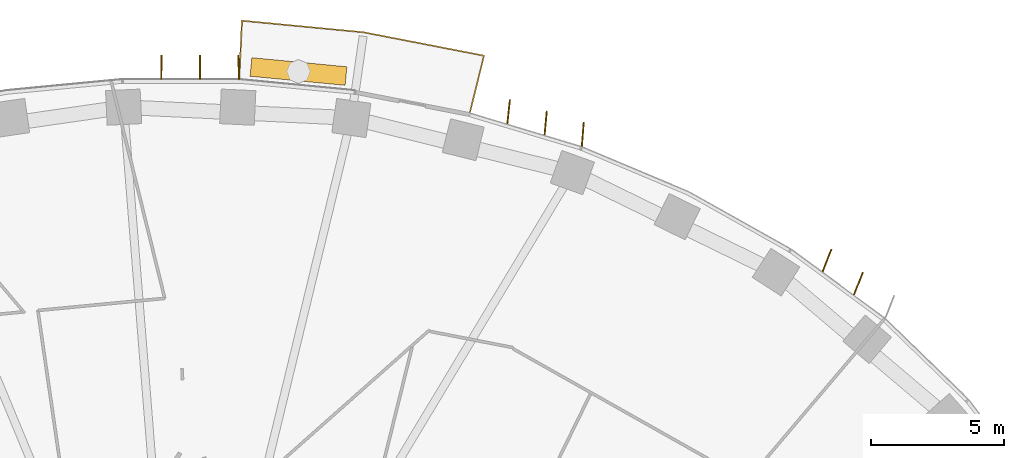
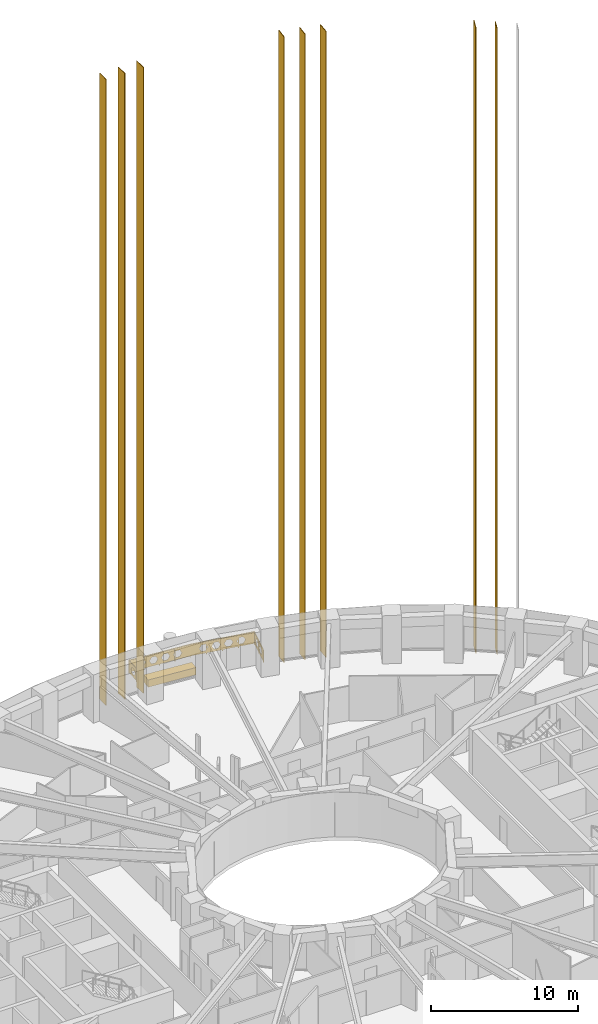
# One storey, part 18 of 20: 9 coverings, 1 railing.
"""IFC4 building model written with IfcOpenShell, lengths in metres."""

from ifc_helpers import new_model, si_unit, direction, frame, origin, origin_2d, place, context, subcontext, project, spatial, polyline, rectangle, outline, extrude, material, material_profile, profile_set, type_object, element, save


model = new_model("IFC4")

# Units and contexts
model_context = context("Model", 3, precision=1e-05, world=origin(), true_north=direction((0.0, 1.0)))
body_context = subcontext(model_context, "Body", "Model", "MODEL_VIEW")
ifc_project = project(units=[si_unit("LENGTHUNIT", "METRE"), si_unit("AREAUNIT", "SQUARE_METRE"), si_unit("VOLUMEUNIT", "CUBIC_METRE"), si_unit("PLANEANGLEUNIT", "RADIAN"), si_unit("MASSUNIT", "GRAM", prefix="KILO")], contexts=[model_context])

# Site, building, storey
site_placement = place(None, origin())
site = spatial("IfcSite", under=ifc_project, at=site_placement, CompositionType="ELEMENT")
building_placement = place(site_placement, origin())
building = spatial("IfcBuilding", under=site, at=building_placement, Name="Noorbagh Ring Tower", CompositionType="ELEMENT")
storey_placement = place(building_placement, frame((0.0, 0.0, 88.0)))
storey = spatial("IfcBuildingStorey", under=building, at=storey_placement, Name="L19", CompositionType="ELEMENT", Elevation=88.0)

# Coverings
ifc_material_1 = material(Name="Aluminium 6063-T6 black anodised", Category="aluminium")
ifc_material_profile = material_profile(ifc_material_1, rectangle(XDim=0.89990234375, YDim=0.050048828125, at=origin_2d()), Name="900x50")
ifc_profile_set = profile_set([ifc_material_profile], Name="Aluminium 6063-T6 black anodised")
covering_type_1 = type_object("IfcCoveringType", Name="ENV-FIN", PredefinedType="CLADDING", material=ifc_profile_set)
for number, where, z_axis, x_axis, name in (
    (1, (25.455078125, 20.2744140625, -0.284912109375), (0.0, 0.0, 1.0), (0.366046969104, 0.930596376745, 0.0), "Fin F06 2 L19-L31"),
    (2, (24.277587890625, 21.1416015625, -0.284912109375), (0.0, 0.0, 1.0), (0.364533046139, 0.931190452202, 0.0), "Fin F06 3 L19-L31"),
    (3, (15.102294921875, 25.884521484375, -0.284912109375), (0.0, 0.0, 1.0), (0.078357246483, 0.996925344208, 0.0), "Fin F09 1 L19-L31"),
    (4, (13.708740234375, 26.304931640625, -0.284912109375), (0.0, 0.0, 1.0), (0.092918421481, 0.995673725148, 0.0), "Fin F09 2 L19-L31"),
    (5, (12.31591796875, 26.72509765625, -0.284912109375), (0.0, 0.0, 1.0), (0.109101232004, 0.994030643982, 0.0), "Fin F09 3 L19-L31"),
    (6, (2.17724609375, 28.399169921875, -0.284912109375), (0.0, 0.0, 1.0), (-0.035640795498, 0.999364665023, 0.0), "Fin F12 1 L19-L31"),
    (7, (0.7255859375, 28.398681640625, -0.284912109375), (0.0, 0.0, 1.0), (-0.011915412219, 0.999929008956, 0.0), "Fin F12 2 L19-L31"),
    (8, (-0.7255859375, 28.398681640625, -0.284912109375), (0.0, 0.0, 1.0), (0.011915412219, 0.999929008956, 0.0), "Fin F12 3 L19-L31"),
):
    element("IfcCovering", number, at=place(storey_placement, frame(where, z_axis=z_axis, x_axis=x_axis)), inside=storey, type_object=covering_type_1, Name=name, ObjectType="FIN", PredefinedType="CLADDING", context=body_context, shape_type="SweptSolid", body=[
        extrude(rectangle(XDim=0.89990234375, YDim=0.050048828125, at=origin_2d()), origin(), (0.0, 0.0, 1.0), 51.969970703125),
    ])

# Railing
ifc_material_2 = material(Name="Steel S275 black powder-coated", Category="steel")
railing_type = type_object("IfcRailingType", Name="ENV-GUARD", PredefinedType="GUARDRAIL", material=ifc_material_2)
railing_placement = place(storey_placement, frame((10.865234375, 26.6943359375, 0.0)))
element("IfcRailing", 9, at=railing_placement, inside=storey, type_object=railing_type, Name="Balcony guard BN03", PredefinedType="GUARDRAIL", context=body_context, shape_type="SweptSolid", body=[
    extrude(rectangle(XDim=0.048095703125, YDim=0.048095703125, at=origin_2d()), frame((0.0, 0.0, 1.076171875), z_axis=(0.239848558412, 0.970810315679, 0.0), x_axis=(-0.970810315679, 0.239848558412, 0.0)), (0.0, 0.0, 1.0), 2.20263671875),
    extrude(rectangle(XDim=0.048095703125, YDim=0.048095703125, at=origin_2d()), frame((0.5283203125, 2.138427734375, 1.076171875), z_axis=(-0.981625049064, 0.1908199755, 0.0), x_axis=(-0.1908199755, -0.981625049064, 0.0)), (0.0, 0.0, 1.0), 4.603271484375),
    extrude(rectangle(XDim=0.048095703125, YDim=0.048095703125, at=origin_2d()), frame((-3.990478515625, 3.016845703125, 1.076171875), z_axis=(-0.995477555764, 0.094997031379, 0.0), x_axis=(-0.094997031379, -0.995477555764, 0.0)), (0.0, 0.0, 1.0), 4.59765625),
    extrude(rectangle(XDim=0.048095703125, YDim=0.048095703125, at=origin_2d()), frame((-8.5673828125, 3.45361328125, 1.076171875), z_axis=(-0.047554616162, -0.998868639252, 0.0), x_axis=(0.998868639252, -0.047554616162, 0.0)), (0.0, 0.0, 1.0), 2.202392578125),
    extrude(rectangle(XDim=0.0419921875, YDim=0.0419921875, at=origin_2d()), origin(), (0.0, 0.0, 1.0), 1.052001953125),
    extrude(rectangle(XDim=0.0419921875, YDim=0.0419921875, at=origin_2d()), frame((0.26416015625, 1.0693359375, 0.0)), (0.0, 0.0, 1.0), 1.052001953125),
    extrude(rectangle(XDim=0.0419921875, YDim=0.0419921875, at=origin_2d()), frame((0.5283203125, 2.138427734375, 0.0)), (0.0, 0.0, 1.0), 1.052001953125),
    extrude(rectangle(XDim=0.0419921875, YDim=0.0419921875, at=origin_2d()), frame((-0.601318359375, 2.35791015625, 0.0)), (0.0, 0.0, 1.0), 1.052001953125),
    extrude(rectangle(XDim=0.0419921875, YDim=0.0419921875, at=origin_2d()), frame((-1.73095703125, 2.57763671875, 0.0)), (0.0, 0.0, 1.0), 1.052001953125),
    extrude(rectangle(XDim=0.0419921875, YDim=0.0419921875, at=origin_2d()), frame((-2.86083984375, 2.79736328125, 0.0)), (0.0, 0.0, 1.0), 1.052001953125),
    extrude(rectangle(XDim=0.0419921875, YDim=0.0419921875, at=origin_2d()), frame((-3.990478515625, 3.016845703125, 0.0)), (0.0, 0.0, 1.0), 1.052001953125),
    extrude(rectangle(XDim=0.0419921875, YDim=0.0419921875, at=origin_2d()), frame((-5.134765625, 3.1259765625, 0.0)), (0.0, 0.0, 1.0), 1.052001953125),
    extrude(rectangle(XDim=0.0419921875, YDim=0.0419921875, at=origin_2d()), frame((-6.27880859375, 3.2353515625, 0.0)), (0.0, 0.0, 1.0), 1.052001953125),
    extrude(rectangle(XDim=0.0419921875, YDim=0.0419921875, at=origin_2d()), frame((-7.423095703125, 3.344482421875, 0.0)), (0.0, 0.0, 1.0), 1.052001953125),
    extrude(rectangle(XDim=0.0419921875, YDim=0.0419921875, at=origin_2d()), frame((-8.5673828125, 3.45361328125, 0.0)), (0.0, 0.0, 1.0), 1.052001953125),
    extrude(rectangle(XDim=0.0419921875, YDim=0.0419921875, at=origin_2d()), frame((-8.61962890625, 2.353515625, 0.0)), (0.0, 0.0, 1.0), 1.052001953125),
    extrude(rectangle(XDim=0.0419921875, YDim=0.0419921875, at=origin_2d()), frame((-8.672119140625, 1.253662109375, 0.0)), (0.0, 0.0, 1.0), 1.052001953125),
    extrude(outline(polyline([(0.0, 0.10009765625), (2.20263671875, 0.10009765625), (2.20263671875, 1.031982421875), (0.0, 1.031982421875), (0.0, 0.10009765625)]), holes=[polyline([(0.96142578125, 0.56591796875), (0.806396484375, 0.83447265625), (0.496337890625, 0.83447265625), (0.34130859375, 0.56591796875), (0.496337890625, 0.297607421875), (0.806396484375, 0.297607421875), (0.96142578125, 0.56591796875)]), polyline([(1.861328125, 0.56591796875), (1.706298828125, 0.83447265625), (1.396240234375, 0.83447265625), (1.241455078125, 0.56591796875), (1.396240234375, 0.297607421875), (1.706298828125, 0.297607421875), (1.861328125, 0.56591796875)])]), frame((-0.009765625, 0.00244140625, 0.0), z_axis=(0.970810315679, -0.239848558412, 0.0), x_axis=(0.239848558412, 0.970810315679, 0.0)), (0.0, 0.0, 1.0), 0.02001953125),
    extrude(outline(polyline([(0.0, 0.10009765625), (4.603271484375, 0.10009765625), (4.603271484375, 1.031982421875), (0.0, 1.031982421875), (0.0, 0.10009765625)]), holes=[polyline([(1.26171875, 0.56591796875), (1.106689453125, 0.83447265625), (0.796630859375, 0.83447265625), (0.6416015625, 0.56591796875), (0.796630859375, 0.297607421875), (1.106689453125, 0.297607421875), (1.26171875, 0.56591796875)]), polyline([(2.16162109375, 0.56591796875), (2.006591796875, 0.83447265625), (1.69677734375, 0.83447265625), (1.541748046875, 0.56591796875), (1.69677734375, 0.297607421875), (2.006591796875, 0.297607421875), (2.16162109375, 0.56591796875)]), polyline([(3.061767578125, 0.56591796875), (2.90673828125, 0.83447265625), (2.5966796875, 0.83447265625), (2.441650390625, 0.56591796875), (2.5966796875, 0.297607421875), (2.90673828125, 0.297607421875), (3.061767578125, 0.56591796875)]), polyline([(3.961669921875, 0.56591796875), (3.806640625, 0.83447265625), (3.49658203125, 0.83447265625), (3.341796875, 0.56591796875), (3.49658203125, 0.297607421875), (3.806640625, 0.297607421875), (3.961669921875, 0.56591796875)])]), frame((0.5263671875, 2.128662109375, 0.0), z_axis=(0.1908199755, 0.981625049064, 0.0), x_axis=(-0.981625049064, 0.1908199755, 0.0)), (0.0, 0.0, 1.0), 0.02001953125),
    extrude(outline(polyline([(0.0, 0.10009765625), (4.59765625, 0.10009765625), (4.59765625, 1.031982421875), (0.0, 1.031982421875), (0.0, 0.10009765625)]), holes=[polyline([(1.2587890625, 0.56591796875), (1.103759765625, 0.83447265625), (0.7939453125, 0.83447265625), (0.638916015625, 0.56591796875), (0.7939453125, 0.297607421875), (1.103759765625, 0.297607421875), (1.2587890625, 0.56591796875)]), polyline([(2.158935546875, 0.56591796875), (2.00390625, 0.83447265625), (1.69384765625, 0.83447265625), (1.538818359375, 0.56591796875), (1.69384765625, 0.297607421875), (2.00390625, 0.297607421875), (2.158935546875, 0.56591796875)]), polyline([(3.058837890625, 0.56591796875), (2.90380859375, 0.83447265625), (2.59375, 0.83447265625), (2.43896484375, 0.56591796875), (2.59375, 0.297607421875), (2.90380859375, 0.297607421875), (3.058837890625, 0.56591796875)]), polyline([(3.958740234375, 0.56591796875), (3.803955078125, 0.83447265625), (3.493896484375, 0.83447265625), (3.3388671875, 0.56591796875), (3.493896484375, 0.297607421875), (3.803955078125, 0.297607421875), (3.958740234375, 0.56591796875)])]), frame((-3.991455078125, 3.0068359375, 0.0), z_axis=(0.094997031379, 0.995477555764, 0.0), x_axis=(-0.995477555764, 0.094997031379, 0.0)), (0.0, 0.0, 1.0), 0.02001953125),
    extrude(outline(polyline([(0.0, 0.10009765625), (2.202392578125, 0.10009765625), (2.202392578125, 1.031982421875), (0.0, 1.031982421875), (0.0, 0.10009765625)]), holes=[polyline([(0.961181640625, 0.56591796875), (0.80615234375, 0.83447265625), (0.496337890625, 0.83447265625), (0.34130859375, 0.56591796875), (0.496337890625, 0.297607421875), (0.80615234375, 0.297607421875), (0.961181640625, 0.56591796875)]), polyline([(1.861328125, 0.56591796875), (1.706298828125, 0.83447265625), (1.396240234375, 0.83447265625), (1.2412109375, 0.56591796875), (1.396240234375, 0.297607421875), (1.706298828125, 0.297607421875), (1.861328125, 0.56591796875)])]), frame((-8.557373046875, 3.453125, 0.0), z_axis=(-0.998868639252, 0.047554616162, 0.0), x_axis=(-0.047554616162, -0.998868639252, 0.0)), (0.0, 0.0, 1.0), 0.02001953125),
])

# Covering
ifc_material_3 = material(Name="Concrete C30/37 planter with soil", Category="concrete")
covering_type_2 = type_object("IfcCoveringType", Name="ENV-PLANTER", PredefinedType="CLADDING", material=ifc_material_3)
covering_placement = place(storey_placement, frame((4.423828125, 28.2373046875, 0.0), z_axis=(0.0, 0.0, 1.0), x_axis=(-0.995476497323, 0.095008122171, 0.0)))
element("IfcCovering", 10, at=covering_placement, inside=storey, type_object=covering_type_2, Name="PLANTER BN03", ObjectType="PLANTER", PredefinedType="CLADDING", context=body_context, shape_type="SweptSolid", body=[
    extrude(rectangle(XDim=3.58642578125, YDim=0.699951171875, at=origin_2d()), origin(), (0.0, 0.0, 1.0), 0.60009765625),
])

save(model, "model.ifc")
